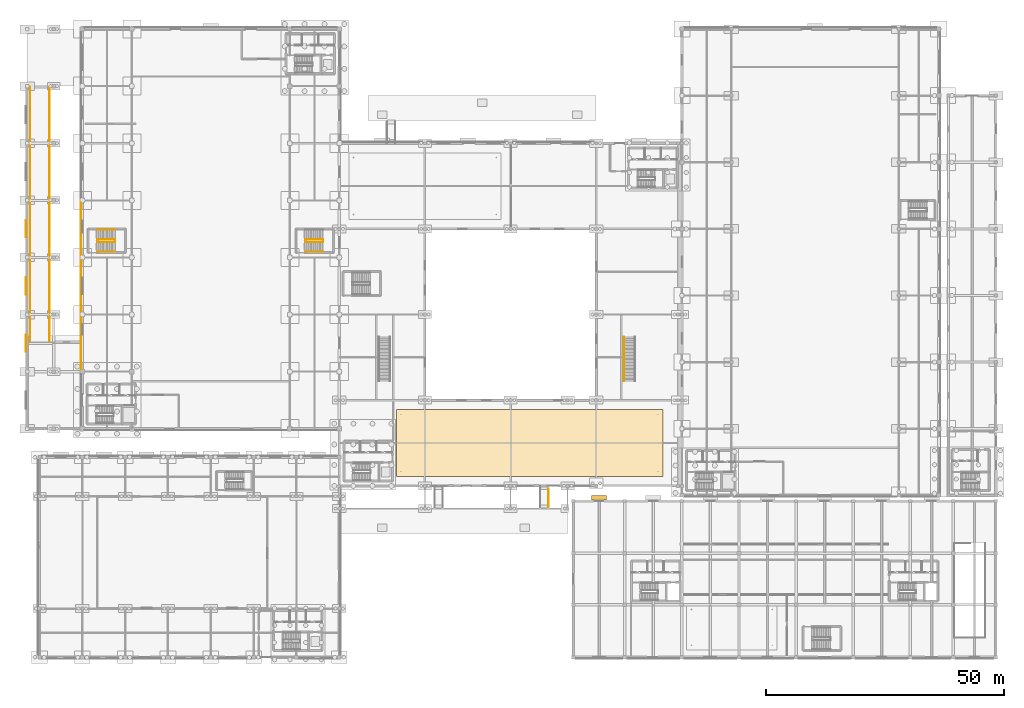
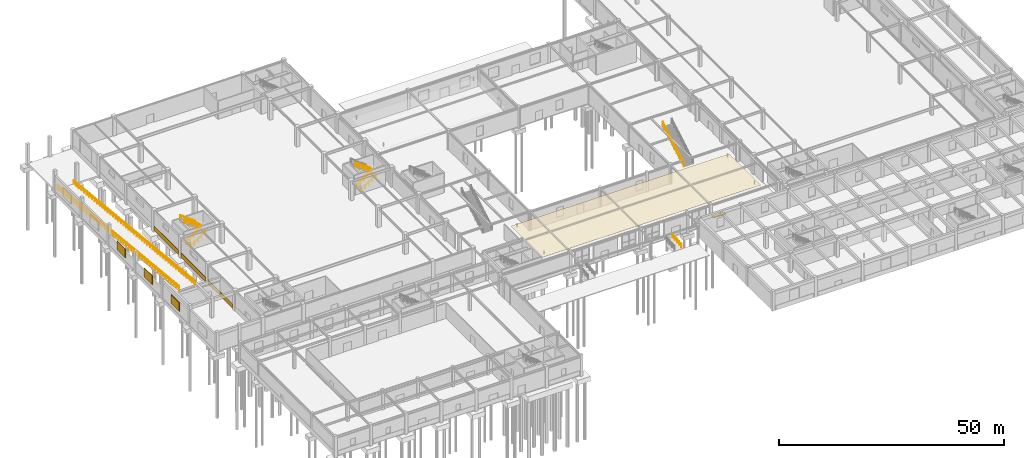
# One storey, part 49 of 53: 9 railings, 4 coverings, 4 shading devices.
"""IFC4 building model written with IfcOpenShell, lengths in metres."""

from ifc_helpers import new_model, si_unit, derived_unit, direction, frame, origin, origin_2d, place, context, subcontext, project, spatial, polyline, rectangle, circle, outline, extrude, material, layer, layer_set, type_object, element, save


model = new_model("IFC4")

# Units and contexts
model_context = context("Model", 3, precision=1e-05, world=origin(), true_north=direction((0.0, 1.0)))
body_context = subcontext(model_context, "Body", "Model", "MODEL_VIEW")
ifc_project = project(units=[si_unit("LENGTHUNIT", "METRE"), si_unit("AREAUNIT", "SQUARE_METRE"), si_unit("VOLUMEUNIT", "CUBIC_METRE"), si_unit("PLANEANGLEUNIT", "RADIAN"), si_unit("MASSUNIT", "GRAM", prefix="KILO"), derived_unit("THERMALTRANSMITTANCEUNIT", [(si_unit("POWERUNIT", "WATT"), 1), (si_unit("LENGTHUNIT", "METRE"), -2), (si_unit("THERMODYNAMICTEMPERATUREUNIT", "KELVIN"), -1)])], contexts=[model_context])

# Site, building, storey
site_placement = place(None, origin())
site = spatial("IfcSite", under=ifc_project, at=site_placement, CompositionType="ELEMENT")
building_placement = place(site_placement, origin())
building = spatial("IfcBuilding", under=site, at=building_placement, Name="Almenara Railside Exhibition Hall", CompositionType="ELEMENT")
storey_placement = place(building_placement, origin())
storey = spatial("IfcBuildingStorey", under=building, at=storey_placement, Name="L00", CompositionType="ELEMENT", Elevation=0.0)

# Shading devices
ifc_material_1 = material(Name="Bronze-anodised acoustic aluminium louvre", Category="aluminium")
shading_device_type_1 = type_object("IfcShadingDeviceType", Name="Acoustic Ramp Ventilation Louvre Bank 3600x2400", PredefinedType="JALOUSIE", material=ifc_material_1)
for number, where, z_axis, x_axis, name in (
    (1, (0.132568359375, 66.0, 1.0), (0.0, 0.0, 1.0), (0.0, 1.0, 0.0), "Truck ramp acoustic louvre 0030"),
    (2, (0.132568359375, 78.0, 1.0), (0.0, 0.0, 1.0), (0.0, 1.0, 0.0), "Truck ramp acoustic louvre 0031"),
    (3, (0.132568359375, 90.0, 1.0), (0.0, 0.0, 1.0), (0.0, 1.0, 0.0), "Truck ramp acoustic louvre 0032"),
):
    element("IfcShadingDevice", number, at=place(storey_placement, frame(where, z_axis=z_axis, x_axis=x_axis)), inside=storey, type_object=shading_device_type_1, Name=name, PredefinedType="JALOUSIE", context=body_context, shape_type="SweptSolid", body=[
        extrude(rectangle(XDim=3.60009765625, YDim=0.14990234375, at=origin_2d()), origin(), (0.0, 0.0, 1.0), 2.39990234375),
    ])

# Covering
ifc_material_2 = material(Name="Perforated iroko acoustic timber ceiling", Category="wood")
ifc_layer_1 = layer(ifc_material_2, 0.0400390625, Name="Perforated iroko acoustic timber ceiling")
ifc_layer_set_1 = layer_set([ifc_layer_1], Name="Perforated iroko acoustic timber ceiling")
covering_type_1 = type_object("IfcCoveringType", Name="Acoustic Slatted Timber Ceiling 40mm", PredefinedType="CEILING", material=ifc_layer_set_1)
covering_placement = place(storey_placement, frame((0.0, 0.0, 4.260009765625)))
element("IfcCovering", 4, at=covering_placement, inside=storey, type_object=covering_type_1, Name="Acoustic timber ceiling 001", PredefinedType="CEILING", context=body_context, shape_type="SweptSolid", body=[
    extrude(outline(polyline([(78.0, 38.0), (134.0, 38.0), (134.0, 52.0), (78.0, 52.0), (78.0, 38.0)])), origin(), (0.0, 0.0, 1.0), 0.0400390625),
])

# Shading device
ifc_material_3 = material(Name="Bronze-anodised aluminium solar brise-soleil", Category="aluminium")
shading_device_type_2 = type_object("IfcShadingDeviceType", Name="North Solar Brise-Soleil Hood 900mm", PredefinedType="USERDEFINED", material=ifc_material_3)
shading_device_placement = place(storey_placement, frame((120.60009765625, 33.47509765625, 3.56005859375), z_axis=(0.0, 0.0, 1.0), x_axis=(-1.0, 0.0, 0.0)))
element("IfcShadingDevice", 5, at=shading_device_placement, inside=storey, type_object=shading_device_type_2, Name="Solar brise-soleil 0014", ObjectType="BRISE_SOLEIL", PredefinedType="USERDEFINED", context=body_context, shape_type="SweptSolid", body=[
    extrude(rectangle(XDim=3.199951171875, YDim=0.89990234375, at=origin_2d()), origin(), (0.0, 0.0, 1.0), 0.139892578125),
])

# Coverings
ifc_material_4 = material(Name="Koppie quartzite dressed stone cladding", Category="masonry")
ifc_layer_2 = layer(ifc_material_4, 0.080078125, Name="Koppie quartzite dressed stone cladding")
ifc_layer_set_2 = layer_set([ifc_layer_2], Name="Koppie quartzite dressed stone cladding")
covering_type_2 = type_object("IfcCoveringType", Name="Rusticated Koppie Quartzite Plinth Cladding 80mm", PredefinedType="CLADDING", material=ifc_layer_set_2)
for number, where, z_axis, x_axis, name in (
    (6, (11.68994140625, 66.0, 0.0), (0.0, 0.0, 1.0), (0.0, -1.0, 0.0), "Stone plinth cladding 0002"),
    (7, (11.68994140625, 78.0, 0.0), (0.0, 0.0, 1.0), (0.0, -1.0, 0.0), "Stone plinth cladding 0003"),
    (8, (11.68994140625, 90.0, 0.0), (0.0, 0.0, 1.0), (0.0, -1.0, 0.0), "Stone plinth cladding 0004"),
):
    element("IfcCovering", number, at=place(storey_placement, frame(where, z_axis=z_axis, x_axis=x_axis)), inside=storey, type_object=covering_type_2, Name=name, PredefinedType="CLADDING", context=body_context, shape_type="SweptSolid", body=[
        extrude(rectangle(XDim=10.89990234375, YDim=0.080078125, at=origin_2d()), origin(), (0.0, 0.0, 1.0), 1.199951171875),
    ])

# Railings
ifc_material_5 = material(Name="Bronze-finished tubular steel handrail", Category="steel")
railing_type_1 = type_object("IfcRailingType", Name="Stair Pitch Handrail 920mm", PredefinedType="HANDRAIL", material=ifc_material_5)
railing_1_placement = place(storey_placement, frame((15.14990234375, 85.199951171875, 0.0)))
element("IfcRailing", 9, at=railing_1_placement, inside=storey, type_object=railing_type_1, Name="HR-L00-0085", PredefinedType="HANDRAIL", context=body_context, shape_type="SweptSolid", body=[
    extrude(circle(Radius=0.02392578125, at=origin_2d()), frame((0.0, 0.0, 0.89599609375), z_axis=(0.813740573448, 0.0, 0.581228250453), x_axis=(0.0, 1.0, 0.0)), (0.0, 0.0, 1.0), 4.645263671875),
    extrude(circle(Radius=0.02099609375, at=origin_2d()), origin(), (0.0, 0.0, 1.0), 0.871826171875),
    extrude(circle(Radius=0.02099609375, at=origin_2d()), frame((0.945068359375, 0.0, 0.675048828125)), (0.0, 0.0, 1.0), 0.871826171875),
    extrude(circle(Radius=0.02099609375, at=origin_2d()), frame((1.89013671875, 0.0, 1.35009765625)), (0.0, 0.0, 1.0), 0.871826171875),
    extrude(circle(Radius=0.02099609375, at=origin_2d()), frame((2.8349609375, 0.0, 2.02490234375)), (0.0, 0.0, 1.0), 0.871826171875),
    extrude(circle(Radius=0.02099609375, at=origin_2d()), frame((3.780029296875, 0.0, 2.699951171875)), (0.0, 0.0, 1.0), 0.871826171875),
])
railing_2_placement = place(storey_placement, frame((18.929931640625, 89.800048828125, 2.699951171875)))
element("IfcRailing", 10, at=railing_2_placement, inside=storey, type_object=railing_type_1, Name="HR-L00-0086", PredefinedType="HANDRAIL", context=body_context, shape_type="SweptSolid", body=[
    extrude(circle(Radius=0.02392578125, at=origin_2d()), frame((0.0, 0.0, 0.89599609375), z_axis=(-0.813740573448, 0.0, 0.581228250453), x_axis=(0.0, -1.0, 0.0)), (0.0, 0.0, 1.0), 4.645263671875),
    extrude(circle(Radius=0.02099609375, at=origin_2d()), origin(), (0.0, 0.0, 1.0), 0.871826171875),
    extrude(circle(Radius=0.02099609375, at=origin_2d()), frame((-0.945068359375, 0.0, 0.675048828125)), (0.0, 0.0, 1.0), 0.871826171875),
    extrude(circle(Radius=0.02099609375, at=origin_2d()), frame((-1.89013671875, 0.0, 1.35009765625)), (0.0, 0.0, 1.0), 0.871826171875),
    extrude(circle(Radius=0.02099609375, at=origin_2d()), frame((-2.8349609375, 0.0, 2.02490234375)), (0.0, 0.0, 1.0), 0.871826171875),
    extrude(circle(Radius=0.02099609375, at=origin_2d()), frame((-3.780029296875, 0.0, 2.699951171875)), (0.0, 0.0, 1.0), 0.871826171875),
])
railing_3_placement = place(storey_placement, frame((58.85009765625, 85.199951171875, 0.0)))
element("IfcRailing", 11, at=railing_3_placement, inside=storey, type_object=railing_type_1, Name="HR-L00-0093", PredefinedType="HANDRAIL", context=body_context, shape_type="SweptSolid", body=[
    extrude(circle(Radius=0.02392578125, at=origin_2d()), frame((0.0, 0.0, 0.89599609375), z_axis=(0.813722817161, 0.0, 0.581253109094), x_axis=(0.0, 1.0, 0.0)), (0.0, 0.0, 1.0), 4.64501953125),
    extrude(circle(Radius=0.02099609375, at=origin_2d()), origin(), (0.0, 0.0, 1.0), 0.871826171875),
    extrude(circle(Radius=0.02099609375, at=origin_2d()), frame((0.94482421875, 0.0, 0.675048828125)), (0.0, 0.0, 1.0), 0.871826171875),
    extrude(circle(Radius=0.02099609375, at=origin_2d()), frame((1.889892578125, 0.0, 1.35009765625)), (0.0, 0.0, 1.0), 0.871826171875),
    extrude(circle(Radius=0.02099609375, at=origin_2d()), frame((2.8349609375, 0.0, 2.02490234375)), (0.0, 0.0, 1.0), 0.871826171875),
    extrude(circle(Radius=0.02099609375, at=origin_2d()), frame((3.77978515625, 0.0, 2.699951171875)), (0.0, 0.0, 1.0), 0.871826171875),
])
ifc_material_6 = material(Name="Dark wrought-iron stair balustrade")
railing_type_2 = type_object("IfcRailingType", Name="Stair Well Guard Rail 1120mm", PredefinedType="BALUSTRADE", material=ifc_material_6)
railing_4_placement = place(storey_placement, frame((15.14990234375, 87.2099609375, 0.0)))
element("IfcRailing", 12, at=railing_4_placement, inside=storey, type_object=railing_type_2, Name="SG-L00-0087", PredefinedType="BALUSTRADE", context=body_context, shape_type="SweptSolid", body=[
    extrude(circle(Radius=0.02392578125, at=origin_2d()), frame((0.0, 0.0, 1.09619140625), z_axis=(0.813740573448, 0.0, 0.581228250453), x_axis=(0.0, 1.0, 0.0)), (0.0, 0.0, 1.0), 4.645263671875),
    extrude(circle(Radius=0.01416015625, at=origin_2d()), frame((0.0, 0.0, 0.56005859375), z_axis=(0.813740573448, 0.0, 0.581228250453), x_axis=(0.0, 1.0, 0.0)), (0.0, 0.0, 1.0), 4.645263671875),
    extrude(circle(Radius=0.02392578125, at=origin_2d()), frame((3.780029296875, 0.0, 3.7958984375), z_axis=(0.0, 1.0, 0.0), x_axis=(-1.0, 0.0, 0.0)), (0.0, 0.0, 1.0), 0.580078125),
    extrude(circle(Radius=0.01416015625, at=origin_2d()), frame((3.780029296875, 0.0, 3.260009765625), z_axis=(0.0, 1.0, 0.0), x_axis=(-1.0, 0.0, 0.0)), (0.0, 0.0, 1.0), 0.580078125),
    extrude(circle(Radius=0.02392578125, at=origin_2d()), frame((3.780029296875, 0.580078125, 3.7958984375), z_axis=(-0.813740573448, 0.0, 0.581228250453), x_axis=(0.0, -1.0, 0.0)), (0.0, 0.0, 1.0), 4.645263671875),
    extrude(circle(Radius=0.01416015625, at=origin_2d()), frame((3.780029296875, 0.580078125, 3.260009765625), z_axis=(-0.813740573448, 0.0, 0.581228250453), x_axis=(0.0, -1.0, 0.0)), (0.0, 0.0, 1.0), 4.645263671875),
    extrude(circle(Radius=0.02099609375, at=origin_2d()), origin(), (0.0, 0.0, 1.0), 1.072021484375),
    extrude(circle(Radius=0.02099609375, at=origin_2d()), frame((0.945068359375, 0.0, 0.675048828125)), (0.0, 0.0, 1.0), 1.072021484375),
    extrude(circle(Radius=0.02099609375, at=origin_2d()), frame((1.89013671875, 0.0, 1.35009765625)), (0.0, 0.0, 1.0), 1.072021484375),
    extrude(circle(Radius=0.02099609375, at=origin_2d()), frame((2.8349609375, 0.0, 2.02490234375)), (0.0, 0.0, 1.0), 1.072021484375),
    extrude(circle(Radius=0.02099609375, at=origin_2d()), frame((3.780029296875, 0.0, 2.699951171875)), (0.0, 0.0, 1.0), 1.072021484375),
    extrude(circle(Radius=0.02099609375, at=origin_2d()), frame((3.780029296875, 0.580078125, 2.699951171875)), (0.0, 0.0, 1.0), 1.072021484375),
    extrude(circle(Radius=0.02099609375, at=origin_2d()), frame((2.8349609375, 0.580078125, 3.375)), (0.0, 0.0, 1.0), 1.072021484375),
    extrude(circle(Radius=0.02099609375, at=origin_2d()), frame((1.89013671875, 0.580078125, 4.0498046875)), (0.0, 0.0, 1.0), 1.072021484375),
    extrude(circle(Radius=0.02099609375, at=origin_2d()), frame((0.945068359375, 0.580078125, 4.724853515625)), (0.0, 0.0, 1.0), 1.072021484375),
    extrude(circle(Radius=0.02099609375, at=origin_2d()), frame((0.0, 0.580078125, 5.39990234375)), (0.0, 0.0, 1.0), 1.072021484375),
])
railing_5_placement = place(storey_placement, frame((58.85009765625, 87.2099609375, 0.0)))
element("IfcRailing", 13, at=railing_5_placement, inside=storey, type_object=railing_type_2, Name="SG-L00-0095", PredefinedType="BALUSTRADE", context=body_context, shape_type="SweptSolid", body=[
    extrude(circle(Radius=0.02392578125, at=origin_2d()), frame((0.0, 0.0, 1.09619140625), z_axis=(0.813722817161, 0.0, 0.581253109094), x_axis=(0.0, 1.0, 0.0)), (0.0, 0.0, 1.0), 4.64501953125),
    extrude(circle(Radius=0.01416015625, at=origin_2d()), frame((0.0, 0.0, 0.56005859375), z_axis=(0.813722817161, 0.0, 0.581253109094), x_axis=(0.0, 1.0, 0.0)), (0.0, 0.0, 1.0), 4.64501953125),
    extrude(circle(Radius=0.02392578125, at=origin_2d()), frame((3.77978515625, 0.0, 3.7958984375), z_axis=(0.0, 1.0, 0.0), x_axis=(-1.0, 0.0, 0.0)), (0.0, 0.0, 1.0), 0.580078125),
    extrude(circle(Radius=0.01416015625, at=origin_2d()), frame((3.77978515625, 0.0, 3.260009765625), z_axis=(0.0, 1.0, 0.0), x_axis=(-1.0, 0.0, 0.0)), (0.0, 0.0, 1.0), 0.580078125),
    extrude(circle(Radius=0.02392578125, at=origin_2d()), frame((3.77978515625, 0.580078125, 3.7958984375), z_axis=(-0.813722817161, 0.0, 0.581253109094), x_axis=(0.0, -1.0, 0.0)), (0.0, 0.0, 1.0), 4.64501953125),
    extrude(circle(Radius=0.01416015625, at=origin_2d()), frame((3.77978515625, 0.580078125, 3.260009765625), z_axis=(-0.813722817161, 0.0, 0.581253109094), x_axis=(0.0, -1.0, 0.0)), (0.0, 0.0, 1.0), 4.64501953125),
    extrude(circle(Radius=0.02099609375, at=origin_2d()), origin(), (0.0, 0.0, 1.0), 1.072021484375),
    extrude(circle(Radius=0.02099609375, at=origin_2d()), frame((0.94482421875, 0.0, 0.675048828125)), (0.0, 0.0, 1.0), 1.072021484375),
    extrude(circle(Radius=0.02099609375, at=origin_2d()), frame((1.889892578125, 0.0, 1.35009765625)), (0.0, 0.0, 1.0), 1.072021484375),
    extrude(circle(Radius=0.02099609375, at=origin_2d()), frame((2.8349609375, 0.0, 2.02490234375)), (0.0, 0.0, 1.0), 1.072021484375),
    extrude(circle(Radius=0.02099609375, at=origin_2d()), frame((3.77978515625, 0.0, 2.699951171875)), (0.0, 0.0, 1.0), 1.072021484375),
    extrude(circle(Radius=0.02099609375, at=origin_2d()), frame((3.77978515625, 0.580078125, 2.699951171875)), (0.0, 0.0, 1.0), 1.072021484375),
    extrude(circle(Radius=0.02099609375, at=origin_2d()), frame((2.8349609375, 0.580078125, 3.375)), (0.0, 0.0, 1.0), 1.072021484375),
    extrude(circle(Radius=0.02099609375, at=origin_2d()), frame((1.889892578125, 0.580078125, 4.0498046875)), (0.0, 0.0, 1.0), 1.072021484375),
    extrude(circle(Radius=0.02099609375, at=origin_2d()), frame((0.94482421875, 0.580078125, 4.724853515625)), (0.0, 0.0, 1.0), 1.072021484375),
    extrude(circle(Radius=0.02099609375, at=origin_2d()), frame((0.0, 0.580078125, 5.39990234375)), (0.0, 0.0, 1.0), 1.072021484375),
])
railing_6_placement = place(storey_placement, frame((125.840087890625, 58.0, 0.0)))
element("IfcRailing", 14, at=railing_6_placement, inside=storey, type_object=railing_type_2, Name="SG-L00-0139", PredefinedType="BALUSTRADE", context=body_context, shape_type="SweptSolid", body=[
    extrude(circle(Radius=0.02392578125, at=origin_2d()), frame((0.0, 0.0, 1.09619140625), z_axis=(0.0, 0.86479403468, 0.502126754497), x_axis=(-1.0, 0.0, 0.0)), (0.0, 0.0, 1.0), 10.754150390625),
    extrude(circle(Radius=0.01416015625, at=origin_2d()), frame((0.0, 0.0, 0.56005859375), z_axis=(0.0, 0.86479403468, 0.502126754497), x_axis=(-1.0, 0.0, 0.0)), (0.0, 0.0, 1.0), 10.754150390625),
    extrude(circle(Radius=0.02099609375, at=origin_2d()), origin(), (0.0, 0.0, 1.0), 1.072021484375),
    extrude(circle(Radius=0.02099609375, at=origin_2d()), frame((0.0, 1.033447265625, 0.60009765625)), (0.0, 0.0, 1.0), 1.072021484375),
    extrude(circle(Radius=0.02099609375, at=origin_2d()), frame((0.0, 2.066650390625, 1.199951171875)), (0.0, 0.0, 1.0), 1.072021484375),
    extrude(circle(Radius=0.02099609375, at=origin_2d()), frame((0.0, 3.10009765625, 1.800048828125)), (0.0, 0.0, 1.0), 1.072021484375),
    extrude(circle(Radius=0.02099609375, at=origin_2d()), frame((0.0, 4.13330078125, 2.39990234375)), (0.0, 0.0, 1.0), 1.072021484375),
    extrude(circle(Radius=0.02099609375, at=origin_2d()), frame((0.0, 5.166748046875, 3.0)), (0.0, 0.0, 1.0), 1.072021484375),
    extrude(circle(Radius=0.02099609375, at=origin_2d()), frame((0.0, 6.199951171875, 3.599853515625)), (0.0, 0.0, 1.0), 1.072021484375),
    extrude(circle(Radius=0.02099609375, at=origin_2d()), frame((0.0, 7.2333984375, 4.199951171875)), (0.0, 0.0, 1.0), 1.072021484375),
    extrude(circle(Radius=0.02099609375, at=origin_2d()), frame((0.0, 8.2666015625, 4.7998046875)), (0.0, 0.0, 1.0), 1.072021484375),
    extrude(circle(Radius=0.02099609375, at=origin_2d()), frame((0.0, 9.300048828125, 5.39990234375)), (0.0, 0.0, 1.0), 1.072021484375),
])
ifc_material_7 = material(Name="Dark wrought-iron architectural balustrade")
railing_type_3 = type_object("IfcRailingType", Name="Wrought-Iron Rejas Terrace Balustrade 1120mm", PredefinedType="BALUSTRADE", material=ifc_material_7)
railing_7_placement = place(storey_placement, frame((1.080078125, 119.800048828125, 0.02001953125)))
element("IfcRailing", 15, at=railing_7_placement, inside=storey, type_object=railing_type_3, Name="Guard balustrade 0006", PredefinedType="BALUSTRADE", context=body_context, shape_type="SweptSolid", body=[
    extrude(circle(Radius=0.02392578125, at=origin_2d()), frame((0.0, 0.0, 1.09619140625), z_axis=(0.0, -0.995037413742, 0.099501483671), x_axis=(1.0, 0.0, 0.0)), (0.0, 0.0, 1.0), 54.068359375),
    extrude(circle(Radius=0.01416015625, at=origin_2d()), frame((0.0, 0.0, 0.56005859375), z_axis=(0.0, -0.995037413742, 0.099501483671), x_axis=(1.0, 0.0, 0.0)), (0.0, 0.0, 1.0), 54.068359375),
    extrude(circle(Radius=0.02099609375, at=origin_2d()), origin(), (0.0, 0.0, 1.0), 1.072021484375),
    extrude(circle(Radius=0.02099609375, at=origin_2d()), frame((0.0, -1.169677734375, 0.116943359375)), (0.0, 0.0, 1.0), 1.072021484375),
    extrude(circle(Radius=0.02099609375, at=origin_2d()), frame((0.0, -2.339111328125, 0.23388671875)), (0.0, 0.0, 1.0), 1.072021484375),
    extrude(circle(Radius=0.02099609375, at=origin_2d()), frame((0.0, -3.5087890625, 0.350830078125)), (0.0, 0.0, 1.0), 1.072021484375),
    extrude(circle(Radius=0.02099609375, at=origin_2d()), frame((0.0, -4.67822265625, 0.4677734375)), (0.0, 0.0, 1.0), 1.072021484375),
    extrude(circle(Radius=0.02099609375, at=origin_2d()), frame((0.0, -5.847900390625, 0.584716796875)), (0.0, 0.0, 1.0), 1.072021484375),
    extrude(circle(Radius=0.02099609375, at=origin_2d()), frame((0.0, -7.017333984375, 0.70166015625)), (0.0, 0.0, 1.0), 1.072021484375),
    extrude(circle(Radius=0.02099609375, at=origin_2d()), frame((0.0, -8.18701171875, 0.818603515625)), (0.0, 0.0, 1.0), 1.072021484375),
    extrude(circle(Radius=0.02099609375, at=origin_2d()), frame((0.0, -9.3564453125, 0.935546875)), (0.0, 0.0, 1.0), 1.072021484375),
    extrude(circle(Radius=0.02099609375, at=origin_2d()), frame((0.0, -10.526123046875, 1.052490234375)), (0.0, 0.0, 1.0), 1.072021484375),
    extrude(circle(Radius=0.02099609375, at=origin_2d()), frame((0.0, -11.695556640625, 1.16943359375)), (0.0, 0.0, 1.0), 1.072021484375),
    extrude(circle(Radius=0.02099609375, at=origin_2d()), frame((0.0, -12.865234375, 1.286376953125)), (0.0, 0.0, 1.0), 1.072021484375),
    extrude(circle(Radius=0.02099609375, at=origin_2d()), frame((0.0, -14.034912109375, 1.403564453125)), (0.0, 0.0, 1.0), 1.072021484375),
    extrude(circle(Radius=0.02099609375, at=origin_2d()), frame((0.0, -15.204345703125, 1.5205078125)), (0.0, 0.0, 1.0), 1.072021484375),
    extrude(circle(Radius=0.02099609375, at=origin_2d()), frame((0.0, -16.3740234375, 1.637451171875)), (0.0, 0.0, 1.0), 1.072021484375),
    extrude(circle(Radius=0.02099609375, at=origin_2d()), frame((0.0, -17.54345703125, 1.75439453125)), (0.0, 0.0, 1.0), 1.072021484375),
    extrude(circle(Radius=0.02099609375, at=origin_2d()), frame((0.0, -18.713134765625, 1.871337890625)), (0.0, 0.0, 1.0), 1.072021484375),
    extrude(circle(Radius=0.02099609375, at=origin_2d()), frame((0.0, -19.882568359375, 1.98828125)), (0.0, 0.0, 1.0), 1.072021484375),
    extrude(circle(Radius=0.02099609375, at=origin_2d()), frame((0.0, -21.05224609375, 2.105224609375)), (0.0, 0.0, 1.0), 1.072021484375),
    extrude(circle(Radius=0.02099609375, at=origin_2d()), frame((0.0, -22.2216796875, 2.22216796875)), (0.0, 0.0, 1.0), 1.072021484375),
    extrude(circle(Radius=0.02099609375, at=origin_2d()), frame((0.0, -23.391357421875, 2.339111328125)), (0.0, 0.0, 1.0), 1.072021484375),
    extrude(circle(Radius=0.02099609375, at=origin_2d()), frame((0.0, -24.560791015625, 2.4560546875)), (0.0, 0.0, 1.0), 1.072021484375),
    extrude(circle(Radius=0.02099609375, at=origin_2d()), frame((0.0, -25.73046875, 2.572998046875)), (0.0, 0.0, 1.0), 1.072021484375),
    extrude(circle(Radius=0.02099609375, at=origin_2d()), frame((0.0, -26.89990234375, 2.68994140625)), (0.0, 0.0, 1.0), 1.072021484375),
    extrude(circle(Radius=0.02099609375, at=origin_2d()), frame((0.0, -28.069580078125, 2.806884765625)), (0.0, 0.0, 1.0), 1.072021484375),
    extrude(circle(Radius=0.02099609375, at=origin_2d()), frame((0.0, -29.2392578125, 2.923828125)), (0.0, 0.0, 1.0), 1.072021484375),
    extrude(circle(Radius=0.02099609375, at=origin_2d()), frame((0.0, -30.40869140625, 3.040771484375)), (0.0, 0.0, 1.0), 1.072021484375),
    extrude(circle(Radius=0.02099609375, at=origin_2d()), frame((0.0, -31.578369140625, 3.15771484375)), (0.0, 0.0, 1.0), 1.072021484375),
    extrude(circle(Radius=0.02099609375, at=origin_2d()), frame((0.0, -32.747802734375, 3.274658203125)), (0.0, 0.0, 1.0), 1.072021484375),
    extrude(circle(Radius=0.02099609375, at=origin_2d()), frame((0.0, -33.91748046875, 3.3916015625)), (0.0, 0.0, 1.0), 1.072021484375),
    extrude(circle(Radius=0.02099609375, at=origin_2d()), frame((0.0, -35.0869140625, 3.508544921875)), (0.0, 0.0, 1.0), 1.072021484375),
    extrude(circle(Radius=0.02099609375, at=origin_2d()), frame((0.0, -36.256591796875, 3.62548828125)), (0.0, 0.0, 1.0), 1.072021484375),
    extrude(circle(Radius=0.02099609375, at=origin_2d()), frame((0.0, -37.426025390625, 3.742431640625)), (0.0, 0.0, 1.0), 1.072021484375),
    extrude(circle(Radius=0.02099609375, at=origin_2d()), frame((0.0, -38.595703125, 3.859375)), (0.0, 0.0, 1.0), 1.072021484375),
    extrude(circle(Radius=0.02099609375, at=origin_2d()), frame((0.0, -39.76513671875, 3.976318359375)), (0.0, 0.0, 1.0), 1.072021484375),
    extrude(circle(Radius=0.02099609375, at=origin_2d()), frame((0.0, -40.934814453125, 4.093505859375)), (0.0, 0.0, 1.0), 1.072021484375),
    extrude(circle(Radius=0.02099609375, at=origin_2d()), frame((0.0, -42.1044921875, 4.21044921875)), (0.0, 0.0, 1.0), 1.072021484375),
    extrude(circle(Radius=0.02099609375, at=origin_2d()), frame((0.0, -43.27392578125, 4.327392578125)), (0.0, 0.0, 1.0), 1.072021484375),
    extrude(circle(Radius=0.02099609375, at=origin_2d()), frame((0.0, -44.443603515625, 4.4443359375)), (0.0, 0.0, 1.0), 1.072021484375),
    extrude(circle(Radius=0.02099609375, at=origin_2d()), frame((0.0, -45.613037109375, 4.561279296875)), (0.0, 0.0, 1.0), 1.072021484375),
    extrude(circle(Radius=0.02099609375, at=origin_2d()), frame((0.0, -46.78271484375, 4.67822265625)), (0.0, 0.0, 1.0), 1.072021484375),
    extrude(circle(Radius=0.02099609375, at=origin_2d()), frame((0.0, -47.9521484375, 4.795166015625)), (0.0, 0.0, 1.0), 1.072021484375),
    extrude(circle(Radius=0.02099609375, at=origin_2d()), frame((0.0, -49.121826171875, 4.912109375)), (0.0, 0.0, 1.0), 1.072021484375),
    extrude(circle(Radius=0.02099609375, at=origin_2d()), frame((0.0, -50.291259765625, 5.029052734375)), (0.0, 0.0, 1.0), 1.072021484375),
    extrude(circle(Radius=0.02099609375, at=origin_2d()), frame((0.0, -51.4609375, 5.14599609375)), (0.0, 0.0, 1.0), 1.072021484375),
    extrude(circle(Radius=0.02099609375, at=origin_2d()), frame((0.0, -52.63037109375, 5.262939453125)), (0.0, 0.0, 1.0), 1.072021484375),
    extrude(circle(Radius=0.02099609375, at=origin_2d()), frame((0.0, -53.800048828125, 5.3798828125)), (0.0, 0.0, 1.0), 1.072021484375),
])
railing_8_placement = place(storey_placement, frame((5.1201171875, 119.800048828125, 0.02001953125)))
element("IfcRailing", 16, at=railing_8_placement, inside=storey, type_object=railing_type_3, Name="Guard balustrade 0007", PredefinedType="BALUSTRADE", context=body_context, shape_type="SweptSolid", body=[
    extrude(circle(Radius=0.02392578125, at=origin_2d()), frame((0.0, 0.0, 1.09619140625), z_axis=(0.0, -0.995037413742, 0.099501483671), x_axis=(1.0, 0.0, 0.0)), (0.0, 0.0, 1.0), 54.068359375),
    extrude(circle(Radius=0.01416015625, at=origin_2d()), frame((0.0, 0.0, 0.56005859375), z_axis=(0.0, -0.995037413742, 0.099501483671), x_axis=(1.0, 0.0, 0.0)), (0.0, 0.0, 1.0), 54.068359375),
    extrude(circle(Radius=0.02099609375, at=origin_2d()), origin(), (0.0, 0.0, 1.0), 1.072021484375),
    extrude(circle(Radius=0.02099609375, at=origin_2d()), frame((0.0, -1.169677734375, 0.116943359375)), (0.0, 0.0, 1.0), 1.072021484375),
    extrude(circle(Radius=0.02099609375, at=origin_2d()), frame((0.0, -2.339111328125, 0.23388671875)), (0.0, 0.0, 1.0), 1.072021484375),
    extrude(circle(Radius=0.02099609375, at=origin_2d()), frame((0.0, -3.5087890625, 0.350830078125)), (0.0, 0.0, 1.0), 1.072021484375),
    extrude(circle(Radius=0.02099609375, at=origin_2d()), frame((0.0, -4.67822265625, 0.4677734375)), (0.0, 0.0, 1.0), 1.072021484375),
    extrude(circle(Radius=0.02099609375, at=origin_2d()), frame((0.0, -5.847900390625, 0.584716796875)), (0.0, 0.0, 1.0), 1.072021484375),
    extrude(circle(Radius=0.02099609375, at=origin_2d()), frame((0.0, -7.017333984375, 0.70166015625)), (0.0, 0.0, 1.0), 1.072021484375),
    extrude(circle(Radius=0.02099609375, at=origin_2d()), frame((0.0, -8.18701171875, 0.818603515625)), (0.0, 0.0, 1.0), 1.072021484375),
    extrude(circle(Radius=0.02099609375, at=origin_2d()), frame((0.0, -9.3564453125, 0.935546875)), (0.0, 0.0, 1.0), 1.072021484375),
    extrude(circle(Radius=0.02099609375, at=origin_2d()), frame((0.0, -10.526123046875, 1.052490234375)), (0.0, 0.0, 1.0), 1.072021484375),
    extrude(circle(Radius=0.02099609375, at=origin_2d()), frame((0.0, -11.695556640625, 1.16943359375)), (0.0, 0.0, 1.0), 1.072021484375),
    extrude(circle(Radius=0.02099609375, at=origin_2d()), frame((0.0, -12.865234375, 1.286376953125)), (0.0, 0.0, 1.0), 1.072021484375),
    extrude(circle(Radius=0.02099609375, at=origin_2d()), frame((0.0, -14.034912109375, 1.403564453125)), (0.0, 0.0, 1.0), 1.072021484375),
    extrude(circle(Radius=0.02099609375, at=origin_2d()), frame((0.0, -15.204345703125, 1.5205078125)), (0.0, 0.0, 1.0), 1.072021484375),
    extrude(circle(Radius=0.02099609375, at=origin_2d()), frame((0.0, -16.3740234375, 1.637451171875)), (0.0, 0.0, 1.0), 1.072021484375),
    extrude(circle(Radius=0.02099609375, at=origin_2d()), frame((0.0, -17.54345703125, 1.75439453125)), (0.0, 0.0, 1.0), 1.072021484375),
    extrude(circle(Radius=0.02099609375, at=origin_2d()), frame((0.0, -18.713134765625, 1.871337890625)), (0.0, 0.0, 1.0), 1.072021484375),
    extrude(circle(Radius=0.02099609375, at=origin_2d()), frame((0.0, -19.882568359375, 1.98828125)), (0.0, 0.0, 1.0), 1.072021484375),
    extrude(circle(Radius=0.02099609375, at=origin_2d()), frame((0.0, -21.05224609375, 2.105224609375)), (0.0, 0.0, 1.0), 1.072021484375),
    extrude(circle(Radius=0.02099609375, at=origin_2d()), frame((0.0, -22.2216796875, 2.22216796875)), (0.0, 0.0, 1.0), 1.072021484375),
    extrude(circle(Radius=0.02099609375, at=origin_2d()), frame((0.0, -23.391357421875, 2.339111328125)), (0.0, 0.0, 1.0), 1.072021484375),
    extrude(circle(Radius=0.02099609375, at=origin_2d()), frame((0.0, -24.560791015625, 2.4560546875)), (0.0, 0.0, 1.0), 1.072021484375),
    extrude(circle(Radius=0.02099609375, at=origin_2d()), frame((0.0, -25.73046875, 2.572998046875)), (0.0, 0.0, 1.0), 1.072021484375),
    extrude(circle(Radius=0.02099609375, at=origin_2d()), frame((0.0, -26.89990234375, 2.68994140625)), (0.0, 0.0, 1.0), 1.072021484375),
    extrude(circle(Radius=0.02099609375, at=origin_2d()), frame((0.0, -28.069580078125, 2.806884765625)), (0.0, 0.0, 1.0), 1.072021484375),
    extrude(circle(Radius=0.02099609375, at=origin_2d()), frame((0.0, -29.2392578125, 2.923828125)), (0.0, 0.0, 1.0), 1.072021484375),
    extrude(circle(Radius=0.02099609375, at=origin_2d()), frame((0.0, -30.40869140625, 3.040771484375)), (0.0, 0.0, 1.0), 1.072021484375),
    extrude(circle(Radius=0.02099609375, at=origin_2d()), frame((0.0, -31.578369140625, 3.15771484375)), (0.0, 0.0, 1.0), 1.072021484375),
    extrude(circle(Radius=0.02099609375, at=origin_2d()), frame((0.0, -32.747802734375, 3.274658203125)), (0.0, 0.0, 1.0), 1.072021484375),
    extrude(circle(Radius=0.02099609375, at=origin_2d()), frame((0.0, -33.91748046875, 3.3916015625)), (0.0, 0.0, 1.0), 1.072021484375),
    extrude(circle(Radius=0.02099609375, at=origin_2d()), frame((0.0, -35.0869140625, 3.508544921875)), (0.0, 0.0, 1.0), 1.072021484375),
    extrude(circle(Radius=0.02099609375, at=origin_2d()), frame((0.0, -36.256591796875, 3.62548828125)), (0.0, 0.0, 1.0), 1.072021484375),
    extrude(circle(Radius=0.02099609375, at=origin_2d()), frame((0.0, -37.426025390625, 3.742431640625)), (0.0, 0.0, 1.0), 1.072021484375),
    extrude(circle(Radius=0.02099609375, at=origin_2d()), frame((0.0, -38.595703125, 3.859375)), (0.0, 0.0, 1.0), 1.072021484375),
    extrude(circle(Radius=0.02099609375, at=origin_2d()), frame((0.0, -39.76513671875, 3.976318359375)), (0.0, 0.0, 1.0), 1.072021484375),
    extrude(circle(Radius=0.02099609375, at=origin_2d()), frame((0.0, -40.934814453125, 4.093505859375)), (0.0, 0.0, 1.0), 1.072021484375),
    extrude(circle(Radius=0.02099609375, at=origin_2d()), frame((0.0, -42.1044921875, 4.21044921875)), (0.0, 0.0, 1.0), 1.072021484375),
    extrude(circle(Radius=0.02099609375, at=origin_2d()), frame((0.0, -43.27392578125, 4.327392578125)), (0.0, 0.0, 1.0), 1.072021484375),
    extrude(circle(Radius=0.02099609375, at=origin_2d()), frame((0.0, -44.443603515625, 4.4443359375)), (0.0, 0.0, 1.0), 1.072021484375),
    extrude(circle(Radius=0.02099609375, at=origin_2d()), frame((0.0, -45.613037109375, 4.561279296875)), (0.0, 0.0, 1.0), 1.072021484375),
    extrude(circle(Radius=0.02099609375, at=origin_2d()), frame((0.0, -46.78271484375, 4.67822265625)), (0.0, 0.0, 1.0), 1.072021484375),
    extrude(circle(Radius=0.02099609375, at=origin_2d()), frame((0.0, -47.9521484375, 4.795166015625)), (0.0, 0.0, 1.0), 1.072021484375),
    extrude(circle(Radius=0.02099609375, at=origin_2d()), frame((0.0, -49.121826171875, 4.912109375)), (0.0, 0.0, 1.0), 1.072021484375),
    extrude(circle(Radius=0.02099609375, at=origin_2d()), frame((0.0, -50.291259765625, 5.029052734375)), (0.0, 0.0, 1.0), 1.072021484375),
    extrude(circle(Radius=0.02099609375, at=origin_2d()), frame((0.0, -51.4609375, 5.14599609375)), (0.0, 0.0, 1.0), 1.072021484375),
    extrude(circle(Radius=0.02099609375, at=origin_2d()), frame((0.0, -52.63037109375, 5.262939453125)), (0.0, 0.0, 1.0), 1.072021484375),
    extrude(circle(Radius=0.02099609375, at=origin_2d()), frame((0.0, -53.800048828125, 5.3798828125)), (0.0, 0.0, 1.0), 1.072021484375),
])
railing_9_placement = place(storey_placement, frame((109.949951171875, 31.550048828125, -0.3701171875)))
element("IfcRailing", 17, at=railing_9_placement, inside=storey, type_object=railing_type_3, Name="Guard balustrade 0034", PredefinedType="BALUSTRADE", context=body_context, shape_type="SweptSolid", body=[
    extrude(circle(Radius=0.02392578125, at=origin_2d()), frame((0.0, 0.0, 1.09619140625), z_axis=(0.0, 0.996540962389, 0.083103010054), x_axis=(-1.0, 0.0, 0.0)), (0.0, 0.0, 1.0), 3.86328125),
    extrude(circle(Radius=0.01416015625, at=origin_2d()), frame((0.0, 0.0, 0.56005859375), z_axis=(0.0, 0.996540962389, 0.083103010054), x_axis=(-1.0, 0.0, 0.0)), (0.0, 0.0, 1.0), 3.86328125),
    extrude(circle(Radius=0.02099609375, at=origin_2d()), origin(), (0.0, 0.0, 1.0), 1.072021484375),
    extrude(circle(Radius=0.02099609375, at=origin_2d()), frame((0.0, 0.96240234375, 0.080322265625)), (0.0, 0.0, 1.0), 1.072021484375),
    extrude(circle(Radius=0.02099609375, at=origin_2d()), frame((0.0, 1.9248046875, 0.16064453125)), (0.0, 0.0, 1.0), 1.072021484375),
    extrude(circle(Radius=0.02099609375, at=origin_2d()), frame((0.0, 2.887451171875, 0.24072265625)), (0.0, 0.0, 1.0), 1.072021484375),
    extrude(circle(Radius=0.02099609375, at=origin_2d()), frame((0.0, 3.849853515625, 0.321044921875)), (0.0, 0.0, 1.0), 1.072021484375),
])

save(model, "model.ifc")
